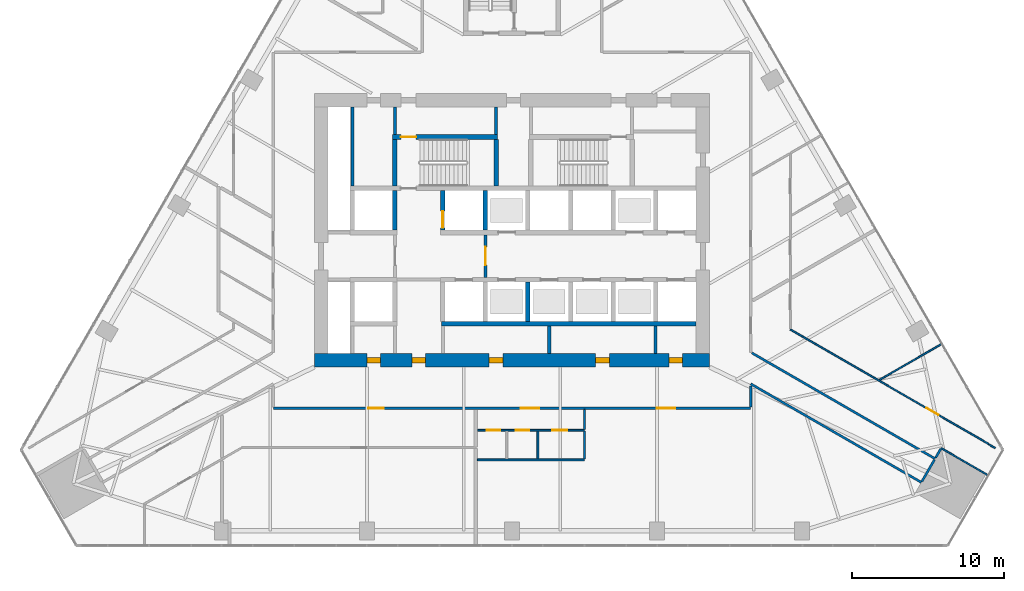
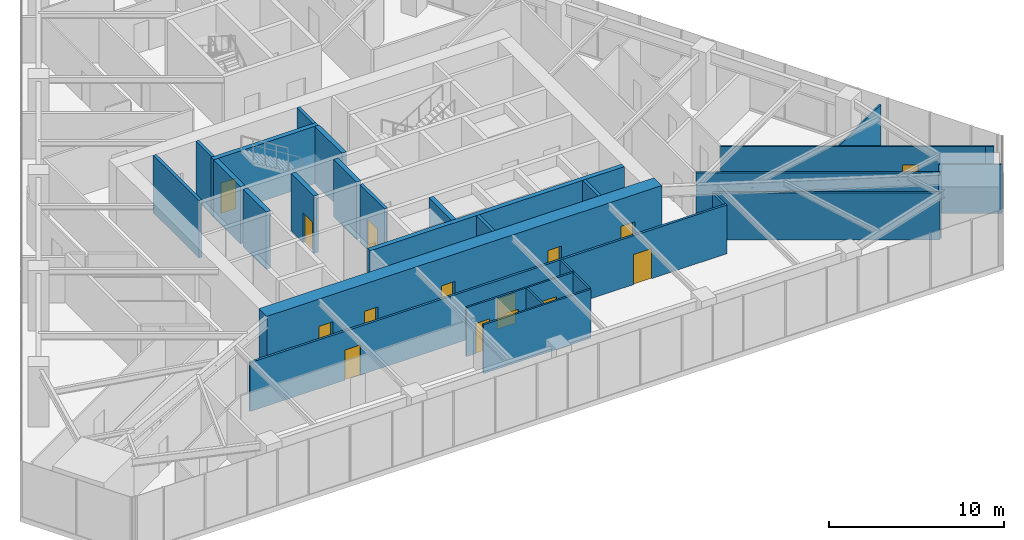
# One storey, part 20 of 25: 30 walls, 15 doors, 15 openings.
"""IFC4 building model written with IfcOpenShell, lengths in metres."""

import ifcopenshell
import ifcopenshell.guid

model = None  # the IFC model being written
_history = None  # IfcOwnerHistory: only IFC2X3 demands one
_inside = {}  # id of a spatial element -> (the spatial element, [elements in it])
_under = {}  # id of a project, library or spatial element -> (it, [spatial elements below it])
_declared = {}  # id of a project -> (the project, [libraries it declares])
_typed = {}  # id of a type object -> (the type object, [elements of that type])
_made_of = {}  # id of a material, layer set ... -> (it, [elements and type objects made of it])


def new_model(schema):
    """Start an empty IFC model of exactly this schema.

    Asked for "IFC4X3", IfcOpenShell would pick the latest addendum, in which some entities
    have other attributes; the version numbers below select the first issue.
    IFC2X3 requires an IfcOwnerHistory on every rooted entity: one is made here for all.
    """
    global model, _history
    if schema == "IFC4X3":
        model = ifcopenshell.file(schema_version=(4, 3, 0, 0))
    else:
        model = ifcopenshell.file(schema=schema)
    _inside.clear()
    _under.clear()
    _declared.clear()
    _typed.clear()
    _made_of.clear()
    _history = None
    if model.schema == "IFC2X3":
        org = make("IfcOrganization", Name="unknown")
        user = make(
            "IfcPersonAndOrganization",
            ThePerson=make("IfcPerson", FamilyName="unknown"),
            TheOrganization=org,
        )
        app = make(
            "IfcApplication",
            ApplicationDeveloper=org,
            Version="unknown",
            ApplicationFullName="unknown",
            ApplicationIdentifier="unknown",
        )
        _history = make(
            "IfcOwnerHistory",
            OwningUser=user,
            OwningApplication=app,
            ChangeAction="ADDED",
            CreationDate=0,
        )
    return model


def make(cls, **values):
    """One entity of the class cls with the attributes given. An attribute that is None is left unset."""
    return model.create_entity(
        cls, **{name: value for name, value in values.items() if value is not None}
    )


def rooted(cls, **values):
    """An entity with a GlobalId (a new one), such as an element, a storey or a relation."""
    return make(cls, GlobalId=ifcopenshell.guid.new(), OwnerHistory=_history, **values)


def si_unit(unit_type, name, prefix=None):
    """IfcSIUnit, for example si_unit("LENGTHUNIT", "METRE", prefix="MILLI")."""
    return make("IfcSIUnit", UnitType=unit_type, Prefix=prefix, Name=name)


def assignment(units):
    """IfcUnitAssignment: the units of a project."""
    return None if units is None else make("IfcUnitAssignment", Units=units)


def point(xyz):
    """IfcCartesianPoint."""
    return None if xyz is None else make("IfcCartesianPoint", Coordinates=xyz)


def direction(xyz):
    """IfcDirection."""
    return None if xyz is None else make("IfcDirection", DirectionRatios=xyz)


def frame(location, z_axis=None, x_axis=None):
    """IfcAxis2Placement3D, a coordinate frame: its origin and axes. An axis left out is left unset."""
    return make(
        "IfcAxis2Placement3D",
        Location=point(location),
        Axis=direction(z_axis),
        RefDirection=direction(x_axis),
    )


def frame_2d(location, x_axis=None):
    """IfcAxis2Placement2D, a coordinate frame in the plane: its origin and x axis."""
    return make(
        "IfcAxis2Placement2D", Location=point(location), RefDirection=direction(x_axis)
    )


def origin():
    """The frame at (0, 0, 0) with its axes left unset."""
    return frame((0.0, 0.0, 0.0))


def place(relative_to, where):
    """IfcLocalPlacement: puts the frame where relative to a parent placement (None: the world)."""
    return make(
        "IfcLocalPlacement", PlacementRelTo=relative_to, RelativePlacement=where
    )


def context(
    kind, dimensions, precision=None, world=None, true_north=None, identifier=None
):
    """IfcGeometricRepresentationContext, for example the 3D "Model" context."""
    return make(
        "IfcGeometricRepresentationContext",
        ContextIdentifier=identifier,
        ContextType=kind,
        CoordinateSpaceDimension=dimensions,
        Precision=precision,
        WorldCoordinateSystem=world,
        TrueNorth=true_north,
    )


def subcontext(parent, identifier, kind, view, scale=None):
    """IfcGeometricRepresentationSubContext, for example "Body" below "Model"."""
    return make(
        "IfcGeometricRepresentationSubContext",
        ContextIdentifier=identifier,
        ContextType=kind,
        ParentContext=parent,
        TargetScale=scale,
        TargetView=view,
    )


def project(units=None, contexts=None):
    """IfcProject with its units and contexts."""
    return rooted(
        "IfcProject",
        Name="project",
        RepresentationContexts=contexts,
        UnitsInContext=assignment(units),
    )


def spatial(cls, under=None, at=None, **own):
    """A site, building, storey or space (cls), placed at a placement, below another one or the project."""
    s = rooted(cls, ObjectPlacement=at, **own)
    if under is not None:
        _under.setdefault(under.id(), (under, []))[1].append(s)
    return s


def profile(cls, at=None, kind="AREA", **sizes):
    """A parametric profile (cls). Its sizes go by their IFC names, for example OverallWidth=200.0."""
    return make(cls, ProfileType=kind, Position=at, **sizes)


def rectangle(**sizes):
    """IfcRectangleProfileDef."""
    return profile("IfcRectangleProfileDef", **sizes)


def extrude(swept, where, along, depth):
    """IfcExtrudedAreaSolid: the profile swept, set in the frame where, extruded along a direction by depth."""
    return make(
        "IfcExtrudedAreaSolid",
        SweptArea=swept,
        Position=where,
        ExtrudedDirection=direction(along),
        Depth=depth,
    )


def shape(context_of_items, identifier, shape_type, items):
    """IfcShapeRepresentation: the items that make up one representation, for example the "Body"."""
    return make(
        "IfcShapeRepresentation",
        ContextOfItems=context_of_items,
        RepresentationIdentifier=identifier,
        RepresentationType=shape_type,
        Items=items,
    )


def material(Name=None, Category=None):
    """IfcMaterial."""
    return make("IfcMaterial", Name=Name, Category=Category)


def layer(
    of_material, thickness, ventilated=None, Name=None, Category=None, Priority=None
):
    """IfcMaterialLayer: one layer of a wall or slab, of a material (None: an air gap)."""
    return make(
        "IfcMaterialLayer",
        Material=of_material,
        LayerThickness=thickness,
        IsVentilated=ventilated,
        Name=Name,
        Category=Category,
        Priority=Priority,
    )


def layer_set(layers, Name=None):
    """IfcMaterialLayerSet."""
    return make("IfcMaterialLayerSet", MaterialLayers=layers, LayerSetName=Name)


def made_of(thing, what):
    """Note that an element or type object is made of a material, layer set ...; save() writes the relation."""
    if what is not None:
        _made_of.setdefault(what.id(), (what, []))[1].append(thing)
    return thing


def type_object(cls, material=None, **own):
    """A type object (cls), such as IfcWallType, which elements share."""
    return made_of(rooted(cls, **own), material)


def element(
    cls,
    number,
    at=None,
    inside=None,
    cuts=None,
    type_object=None,
    material=None,
    context=None,
    identifier="Body",
    shape_type=None,
    held_by="IfcProductDefinitionShape",
    body=None,
    shapes=None,
    **own,
):
    """One element of the class cls, such as IfcWall. Its Tag is "e" and its number.

    at: its placement. inside: the storey or other place that contains it. cuts: it is an
    opening in that element (IfcRelVoidsElement). A single representation is given by context,
    identifier, shape_type and body (its items); several are given by shapes. held_by: the class
    of the entity that holds the representations. save() writes the other relations.
    """
    e = rooted(cls, Tag="e%d" % number, ObjectPlacement=at, **own)
    if body is not None:
        shapes = [shape(context, identifier, shape_type, body)]
    if shapes is not None:
        e.Representation = make(held_by, Representations=shapes)
    if inside is not None:
        _inside.setdefault(inside.id(), (inside, []))[1].append(e)
    if cuts is not None:
        rooted(
            "IfcRelVoidsElement", RelatingBuildingElement=cuts, RelatedOpeningElement=e
        )
    if type_object is not None:
        _typed.setdefault(type_object.id(), (type_object, []))[1].append(e)
    return made_of(e, material)


def fill(opening, filler):
    """IfcRelFillsElement: the door or window that sits in an opening."""
    return rooted(
        "IfcRelFillsElement",
        RelatingOpeningElement=opening,
        RelatedBuildingElement=filler,
    )


def aggregate(whole, parts):
    """IfcRelAggregates: a whole, such as a stair, and the parts it consists of."""
    return rooted("IfcRelAggregates", RelatingObject=whole, RelatedObjects=parts)


def save(model, path):
    """Write the relations noted so far, then the file.

    IfcRelAggregates (storeys below a building ...), IfcRelContainedInSpatialStructure (elements
    in a storey), IfcRelDefinesByType, IfcRelAssociatesMaterial and IfcRelDeclares: one each for
    every whole, place, type object, material and project.
    """
    for whole, parts in _under.values():
        aggregate(whole, parts)
    for where, things in _inside.values():
        rooted(
            "IfcRelContainedInSpatialStructure",
            RelatedElements=things,
            RelatingStructure=where,
        )
    for kind, things in _typed.values():
        rooted("IfcRelDefinesByType", RelatedObjects=things, RelatingType=kind)
    for what, things in _made_of.values():
        rooted("IfcRelAssociatesMaterial", RelatedObjects=things, RelatingMaterial=what)
    for by, libraries in _declared.values():
        rooted("IfcRelDeclares", RelatingContext=by, RelatedDefinitions=libraries)
    model.write(path)


model = new_model("IFC4")

# Units and contexts
model_context = context("Model", 3, precision=1e-05, world=origin(), true_north=direction((0.0, 1.0)))
body_context = subcontext(model_context, "Body", "Model", "MODEL_VIEW")
ifc_project = project(units=[si_unit("LENGTHUNIT", "METRE"), si_unit("AREAUNIT", "SQUARE_METRE"), si_unit("VOLUMEUNIT", "CUBIC_METRE"), si_unit("PLANEANGLEUNIT", "RADIAN"), si_unit("MASSUNIT", "GRAM", prefix="KILO")], contexts=[model_context])

# Site, building, storey
site_placement = place(None, origin())
site = spatial("IfcSite", under=ifc_project, at=site_placement, CompositionType="ELEMENT")
building_placement = place(site_placement, origin())
building = spatial("IfcBuilding", under=site, at=building_placement, Name="Firuza Gate Tower and Library", CompositionType="ELEMENT")
storey_placement = place(building_placement, frame((0.0, 0.0, 61.0)))
storey = spatial("IfcBuildingStorey", under=building, at=storey_placement, Name="L13", CompositionType="ELEMENT", Elevation=61.0)

# Walls
ifc_material_1 = material(Name="Plasterboard on steel studs", Category="steel")
ifc_layer_1 = layer(ifc_material_1, 0.199951171875)
ifc_layer_set_1 = layer_set([ifc_layer_1], Name="Core partition 200 EI 120")
wall_type_1 = type_object("IfcWallType", Name="Core partition 200 EI 120", PredefinedType="PARTITIONING", material=ifc_layer_set_1)
wall_1_placement = place(storey_placement, frame((64.5, 77.89990234375, 0.0), z_axis=(0.0, 0.0, 1.0), x_axis=(0.0, 1.0, 0.0)))
element("IfcWall", 1, at=wall_1_placement, inside=storey, type_object=wall_type_1, Name="Core partition L13 6", PredefinedType="PARTITIONING", context=body_context, shape_type="SweptSolid", body=[
    extrude(rectangle(XDim=5.2001953125, YDim=0.199951171875, at=frame_2d((2.60009765625, 0.0))), origin(), (0.0, 0.0, 1.0), 4.0),
])
for number, where, z_axis, x_axis, name in (
    (2, (77.449951171875, 66.89990234375, 0.0), (0.0, 0.0, 1.0), (0.0, 1.0, 0.0), "Core partition L13 14"),
    (3, (84.449951171875, 66.89990234375, 0.0), (0.0, 0.0, 1.0), (0.0, 1.0, 0.0), "Core partition L13 16"),
):
    element("IfcWall", number, at=place(storey_placement, frame(where, z_axis=z_axis, x_axis=x_axis)), inside=storey, type_object=wall_type_1, Name=name, PredefinedType="PARTITIONING", context=body_context, shape_type="SweptSolid", body=[
        extrude(rectangle(XDim=1.800048828125, YDim=0.199951171875, at=frame_2d((0.89990234375, 0.0))), origin(), (0.0, 0.0, 1.0), 4.0),
    ])
ifc_material_2 = material(Name="Plasterboard on steel studs", Category="steel")
ifc_layer_2 = layer(ifc_material_2, 0.199951171875)
ifc_layer_set_2 = layer_set([ifc_layer_2], Name="Core partition 200 EI 60")
wall_type_2 = type_object("IfcWallType", Name="Core partition 200 EI 60", PredefinedType="PARTITIONING", material=ifc_layer_set_2)
wall_2_placement = place(storey_placement, frame((67.300048828125, 81.280029296875, 0.0), z_axis=(0.0, 0.0, 1.0), x_axis=(0.0, 1.0, 0.0)))
element("IfcWall", 4, at=wall_2_placement, inside=storey, type_object=wall_type_2, Name="Core partition L13 9", PredefinedType="PARTITIONING", context=body_context, shape_type="SweptSolid", body=[
    extrude(rectangle(XDim=1.820068359375, YDim=0.199951171875, at=frame_2d((0.91015625, 0.0))), origin(), (0.0, 0.0, 1.0), 4.0),
])

# Wall, opening, door
wall_3_placement = place(storey_placement, frame((73.25, 71.89990234375, 0.0), z_axis=(0.0, 0.0, 1.0), x_axis=(0.0, 1.0, 0.0)))
wall_3 = element("IfcWall", 5, at=wall_3_placement, inside=storey, type_object=wall_type_2, Name="Core partition L13 11", PredefinedType="PARTITIONING", context=body_context, shape_type="SweptSolid", body=[
    extrude(rectangle(XDim=2.800048828125, YDim=0.199951171875, at=frame_2d((1.39990234375, 0.0))), origin(), (0.0, 0.0, 1.0), 4.0),
])
opening_1_placement = place(wall_3_placement, frame((0.800048828125, 0.0, 0.0)))
opening_1 = element("IfcOpeningElement", 6, at=opening_1_placement, cuts=wall_3, Name="Opening L13-K20", PredefinedType="OPENING", context=body_context, shape_type="SweptSolid", body=[
    extrude(rectangle(XDim=1.199951171875, YDim=2.10009765625, at=frame_2d((0.60009765625, 1.050048828125))), frame((0.0, 0.10986328125, 0.0), z_axis=(0.0, -1.0, 0.0), x_axis=(1.0, 0.0, 0.0)), (0.0, 0.0, 1.0), 0.219970703125),
])
ifc_material_3 = material(Name="Steel", Category="steel")
door_type_1 = type_object("IfcDoorType", Name="Fire door 1200x2100 FD90S", OperationType="NOTDEFINED", PredefinedType="DOOR", material=ifc_material_3)
door_1_placement = place(opening_1_placement, origin())
door_1 = element("IfcDoor", 7, at=door_1_placement, inside=storey, type_object=door_type_1, Name="Door L13-K20", OperationType="SINGLE_SWING_LEFT", OverallHeight=2.10009765625, OverallWidth=1.199951171875, PredefinedType="DOOR", context=body_context, shape_type="SweptSolid", body=[
    extrude(rectangle(XDim=1.199951171875, YDim=2.10009765625, at=frame_2d((0.60009765625, 1.050048828125))), frame((0.0, 0.02490234375, 0.0), z_axis=(0.0, -1.0, 0.0), x_axis=(1.0, 0.0, 0.0)), (0.0, 0.0, 1.0), 0.050048828125),
])
fill(opening_1, door_1)

# Walls
wall_4_placement = place(storey_placement, frame((73.9599609375, 81.280029296875, 0.0), z_axis=(0.0, 0.0, 1.0), x_axis=(0.0, 1.0, 0.0)))
element("IfcWall", 8, at=wall_4_placement, inside=storey, type_object=wall_type_2, Name="Core partition L13 12", PredefinedType="PARTITIONING", context=body_context, shape_type="SweptSolid", body=[
    extrude(rectangle(XDim=1.820068359375, YDim=0.199951171875, at=frame_2d((0.91015625, 0.0))), origin(), (0.0, 0.0, 1.0), 4.0),
])
ifc_material_4 = material(Name="Concrete C80/95", Category="concrete")
ifc_layer_3 = layer(ifc_material_4, 0.300048828125)
ifc_layer_set_3 = layer_set([ifc_layer_3], Name="Core wall 300 C80/95")
wall_type_3 = type_object("IfcWallType", Name="Core wall 300 C80/95", PredefinedType="SHEAR", material=ifc_layer_set_3)
wall_5_placement = place(storey_placement, frame((70.35009765625, 68.85009765625, 0.0), z_axis=(0.0, 0.0, 1.0), x_axis=(1.0, 0.0, 0.0)))
element("IfcWall", 9, at=wall_5_placement, inside=storey, type_object=wall_type_3, Name="Core wall L13 6", PredefinedType="SHEAR", context=body_context, shape_type="SweptSolid", body=[
    extrude(rectangle(XDim=16.75, YDim=0.300048828125, at=frame_2d((8.375, 0.0))), origin(), (0.0, 0.0, 1.0), 4.0),
])
wall_6_placement = place(storey_placement, frame((67.300048828125, 75.0, 0.0), z_axis=(0.0, 0.0, 1.0), x_axis=(0.0, 1.0, 0.0)))
element("IfcWall", 10, at=wall_6_placement, inside=storey, type_object=wall_type_3, Name="Core wall L13 14", PredefinedType="SHEAR", context=body_context, shape_type="SweptSolid", body=[
    extrude(rectangle(XDim=2.60009765625, YDim=0.300048828125, at=frame_2d((1.300048828125, 0.0))), origin(), (0.0, 0.0, 1.0), 4.0),
])

# Wall, opening, door
wall_7_placement = place(storey_placement, frame((70.449951171875, 75.0, 0.0), z_axis=(0.0, 0.0, 1.0), x_axis=(0.0, 1.0, 0.0)))
wall_7 = element("IfcWall", 11, at=wall_7_placement, inside=storey, type_object=wall_type_3, Name="Core wall L13 16", PredefinedType="SHEAR", context=body_context, shape_type="SweptSolid", body=[
    extrude(rectangle(XDim=2.60009765625, YDim=0.300048828125, at=frame_2d((1.300048828125, 0.0))), origin(), (0.0, 0.0, 1.0), 4.0),
])
opening_2_placement = place(wall_7_placement, frame((0.14990234375, 0.0, 0.0)))
opening_2 = element("IfcOpeningElement", 12, at=opening_2_placement, cuts=wall_7, Name="Opening LD-FF2-L13", PredefinedType="OPENING", context=body_context, shape_type="SweptSolid", body=[
    extrude(rectangle(XDim=1.10009765625, YDim=2.10009765625, at=frame_2d((0.550048828125, 1.050048828125))), frame((0.0, 0.16015625, 0.0), z_axis=(0.0, -1.0, 0.0), x_axis=(1.0, 0.0, 0.0)), (0.0, 0.0, 1.0), 0.320068359375),
])
ifc_material_5 = material(Name="Stainless steel", Category="steel")
door_type_2 = type_object("IfcDoorType", Name="Lift landing door 1100x2100", OperationType="DOUBLE_DOOR_SLIDING", PredefinedType="DOOR", material=ifc_material_5)
door_2_placement = place(opening_2_placement, origin())
door_2 = element("IfcDoor", 13, at=door_2_placement, inside=storey, type_object=door_type_2, Name="Landing door FF2 L13", OperationType="DOUBLE_DOOR_SLIDING", OverallHeight=2.10009765625, OverallWidth=1.10009765625, PredefinedType="DOOR", context=body_context, shape_type="SweptSolid", body=[
    extrude(rectangle(XDim=1.10009765625, YDim=2.10009765625, at=frame_2d((0.550048828125, 1.050048828125))), frame((0.0, 0.02490234375, 0.0), z_axis=(0.0, -1.0, 0.0), x_axis=(1.0, 0.0, 0.0)), (0.0, 0.0, 1.0), 0.050048828125),
])
fill(opening_2, door_2)

# Walls
for number, where, z_axis, x_axis, name in (
    (14, (73.25, 75.0, 0.0), (0.0, 0.0, 1.0), (0.0, 1.0, 0.0), "Core wall L13 18"),
    (15, (76.050048828125, 69.0, 0.0), (0.0, 0.0, 1.0), (0.0, 1.0, 0.0), "Core wall L13 19"),
):
    element("IfcWall", number, at=place(storey_placement, frame(where, z_axis=z_axis, x_axis=x_axis)), inside=storey, type_object=wall_type_3, Name=name, PredefinedType="SHEAR", context=body_context, shape_type="SweptSolid", body=[
        extrude(rectangle(XDim=2.60009765625, YDim=0.300048828125, at=frame_2d((1.300048828125, 0.0))), origin(), (0.0, 0.0, 1.0), 4.0),
    ])

# Wall, opening, door
wall_8_placement = place(storey_placement, frame((67.14990234375, 81.1298828125, 0.0), z_axis=(0.0, 0.0, 1.0), x_axis=(1.0, 0.0, 0.0)))
wall_8 = element("IfcWall", 16, at=wall_8_placement, inside=storey, type_object=wall_type_3, Name="Core wall L13 28", PredefinedType="SHEAR", context=body_context, shape_type="SweptSolid", body=[
    extrude(rectangle(XDim=6.91015625, YDim=0.300048828125, at=frame_2d((3.455078125, 0.0))), origin(), (0.0, 0.0, 1.0), 4.0),
])
opening_3_placement = place(wall_8_placement, frame((0.544921875, 0.0, 0.0)))
opening_3 = element("IfcOpeningElement", 17, at=opening_3_placement, cuts=wall_8, Name="Opening L13-K13", PredefinedType="OPENING", context=body_context, shape_type="SweptSolid", body=[
    extrude(rectangle(XDim=1.0, YDim=2.10009765625, at=frame_2d((0.5, 1.050048828125))), frame((0.0, 0.16015625, 0.0), z_axis=(0.0, -1.0, 0.0), x_axis=(1.0, 0.0, 0.0)), (0.0, 0.0, 1.0), 0.320068359375),
])
ifc_material_6 = material(Name="Steel", Category="steel")
door_type_3 = type_object("IfcDoorType", Name="Fire door 1000x2100 FD90", OperationType="NOTDEFINED", PredefinedType="DOOR", material=ifc_material_6)
door_3_placement = place(opening_3_placement, origin())
door_3 = element("IfcDoor", 18, at=door_3_placement, inside=storey, type_object=door_type_3, Name="Door L13-K13", OperationType="SINGLE_SWING_RIGHT", OverallHeight=2.10009765625, OverallWidth=1.0, PredefinedType="DOOR", context=body_context, shape_type="SweptSolid", body=[
    extrude(rectangle(XDim=1.0, YDim=2.10009765625, at=frame_2d((0.5, 1.050048828125))), frame((0.0, 0.02490234375, 0.0), z_axis=(0.0, -1.0, 0.0), x_axis=(1.0, 0.0, 0.0)), (0.0, 0.0, 1.0), 0.050048828125),
])
fill(opening_3, door_3)

# Walls
for number, where, z_axis, x_axis, name in (
    (19, (67.300048828125, 77.89990234375, 0.0), (0.0, 0.0, 1.0), (0.0, 1.0, 0.0), "Core wall L13 30"),
    (20, (73.9599609375, 77.89990234375, 0.0), (0.0, 0.0, 1.0), (0.0, 1.0, 0.0), "Core wall L13 31"),
):
    element("IfcWall", number, at=place(storey_placement, frame(where, z_axis=z_axis, x_axis=x_axis)), inside=storey, type_object=wall_type_3, Name=name, PredefinedType="SHEAR", context=body_context, shape_type="SweptSolid", body=[
        extrude(rectangle(XDim=3.080078125, YDim=0.300048828125, at=frame_2d((1.5400390625, 0.0))), origin(), (0.0, 0.0, 1.0), 4.0),
    ])

# Wall, openings, doors
ifc_material_7 = material(Name="Concrete C80/95", Category="concrete")
ifc_layer_4 = layer(ifc_material_7, 0.89990234375)
ifc_layer_set_4 = layer_set([ifc_layer_4], Name="Core wall 900 C80/95")
wall_type_4 = type_object("IfcWallType", Name="Core wall 900 C80/95", PredefinedType="SHEAR", material=ifc_layer_set_4)
wall_9_placement = place(storey_placement, frame((62.0, 66.449951171875, 0.0), z_axis=(0.0, 0.0, 1.0), x_axis=(1.0, 0.0, 0.0)))
wall_9 = element("IfcWall", 21, at=wall_9_placement, inside=storey, type_object=wall_type_4, Name="Core wall L13 1", PredefinedType="SHEAR", context=body_context, shape_type="SweptSolid", body=[
    extrude(rectangle(XDim=26.0, YDim=0.89990234375, at=frame_2d((13.0, 0.0))), origin(), (0.0, 0.0, 1.0), 4.0),
])
opening_4_placement = place(wall_9_placement, frame((3.449951171875, 0.0, 0.0)))
opening_4 = element("IfcOpeningElement", 22, at=opening_4_placement, cuts=wall_9, Name="Opening L13-K24", PredefinedType="OPENING", context=body_context, shape_type="SweptSolid", body=[
    extrude(rectangle(XDim=0.89990234375, YDim=2.10009765625, at=frame_2d((0.449951171875, 1.050048828125))), frame((0.0, 0.4599609375, 0.0), z_axis=(0.0, -1.0, 0.0), x_axis=(1.0, 0.0, 0.0)), (0.0, 0.0, 1.0), 0.919921875),
])
opening_5_placement = place(wall_9_placement, frame((6.425048828125, 0.0, 0.0)))
opening_5 = element("IfcOpeningElement", 23, at=opening_5_placement, cuts=wall_9, Name="Opening L13-K25", PredefinedType="OPENING", context=body_context, shape_type="SweptSolid", body=[
    extrude(rectangle(XDim=0.89990234375, YDim=2.10009765625, at=frame_2d((0.449951171875, 1.050048828125))), frame((0.0, 0.4599609375, 0.0), z_axis=(0.0, -1.0, 0.0), x_axis=(1.0, 0.0, 0.0)), (0.0, 0.0, 1.0), 0.919921875),
])
opening_6_placement = place(wall_9_placement, frame((11.5, 0.0, 0.0)))
opening_6 = element("IfcOpeningElement", 24, at=opening_6_placement, cuts=wall_9, Name="Opening L13-K26", PredefinedType="OPENING", context=body_context, shape_type="SweptSolid", body=[
    extrude(rectangle(XDim=0.89990234375, YDim=2.10009765625, at=frame_2d((0.449951171875, 1.050048828125))), frame((0.0, 0.4599609375, 0.0), z_axis=(0.0, -1.0, 0.0), x_axis=(1.0, 0.0, 0.0)), (0.0, 0.0, 1.0), 0.919921875),
])
opening_7_placement = place(wall_9_placement, frame((18.5, 0.0, 0.0)))
opening_7 = element("IfcOpeningElement", 25, at=opening_7_placement, cuts=wall_9, Name="Opening L13-K27", PredefinedType="OPENING", context=body_context, shape_type="SweptSolid", body=[
    extrude(rectangle(XDim=0.89990234375, YDim=2.10009765625, at=frame_2d((0.449951171875, 1.050048828125))), frame((0.0, 0.4599609375, 0.0), z_axis=(0.0, -1.0, 0.0), x_axis=(1.0, 0.0, 0.0)), (0.0, 0.0, 1.0), 0.919921875),
])
opening_8_placement = place(wall_9_placement, frame((23.324951171875, 0.0, 0.0)))
opening_8 = element("IfcOpeningElement", 26, at=opening_8_placement, cuts=wall_9, Name="Opening L13-K28", PredefinedType="OPENING", context=body_context, shape_type="SweptSolid", body=[
    extrude(rectangle(XDim=0.89990234375, YDim=2.10009765625, at=frame_2d((0.449951171875, 1.050048828125))), frame((0.0, 0.4599609375, 0.0), z_axis=(0.0, -1.0, 0.0), x_axis=(1.0, 0.0, 0.0)), (0.0, 0.0, 1.0), 0.919921875),
])
ifc_material_8 = material(Name="Steel", Category="steel")
door_type_4 = type_object("IfcDoorType", Name="Fire door 900x2100 FD30S", OperationType="NOTDEFINED", PredefinedType="DOOR", material=ifc_material_8)
door_4_placement = place(opening_4_placement, origin())
door_4 = element("IfcDoor", 27, at=door_4_placement, inside=storey, type_object=door_type_4, Name="Door L13-K24", OperationType="SINGLE_SWING_LEFT", OverallHeight=2.10009765625, OverallWidth=0.89990234375, PredefinedType="DOOR", context=body_context, shape_type="SweptSolid", body=[
    extrude(rectangle(XDim=0.89990234375, YDim=2.10009765625, at=frame_2d((0.449951171875, 1.050048828125))), frame((0.0, 0.169921875, 0.0), z_axis=(0.0, -1.0, 0.0), x_axis=(1.0, 0.0, 0.0)), (0.0, 0.0, 1.0), 0.33984375),
])
fill(opening_4, door_4)
door_5_placement = place(opening_5_placement, origin())
door_5 = element("IfcDoor", 28, at=door_5_placement, inside=storey, type_object=door_type_4, Name="Door L13-K25", OperationType="SINGLE_SWING_RIGHT", OverallHeight=2.10009765625, OverallWidth=0.89990234375, PredefinedType="DOOR", context=body_context, shape_type="SweptSolid", body=[
    extrude(rectangle(XDim=0.89990234375, YDim=2.10009765625, at=frame_2d((0.449951171875, 1.050048828125))), frame((0.0, 0.169921875, 0.0), z_axis=(0.0, -1.0, 0.0), x_axis=(1.0, 0.0, 0.0)), (0.0, 0.0, 1.0), 0.33984375),
])
fill(opening_5, door_5)
door_6_placement = place(opening_6_placement, origin())
door_6 = element("IfcDoor", 29, at=door_6_placement, inside=storey, type_object=door_type_4, Name="Door L13-K26", OperationType="SINGLE_SWING_LEFT", OverallHeight=2.10009765625, OverallWidth=0.89990234375, PredefinedType="DOOR", context=body_context, shape_type="SweptSolid", body=[
    extrude(rectangle(XDim=0.89990234375, YDim=2.10009765625, at=frame_2d((0.449951171875, 1.050048828125))), frame((0.0, 0.169921875, 0.0), z_axis=(0.0, -1.0, 0.0), x_axis=(1.0, 0.0, 0.0)), (0.0, 0.0, 1.0), 0.33984375),
])
fill(opening_6, door_6)
door_7_placement = place(opening_7_placement, origin())
door_7 = element("IfcDoor", 30, at=door_7_placement, inside=storey, type_object=door_type_4, Name="Door L13-K27", OperationType="SINGLE_SWING_RIGHT", OverallHeight=2.10009765625, OverallWidth=0.89990234375, PredefinedType="DOOR", context=body_context, shape_type="SweptSolid", body=[
    extrude(rectangle(XDim=0.89990234375, YDim=2.10009765625, at=frame_2d((0.449951171875, 1.050048828125))), frame((0.0, 0.169921875, 0.0), z_axis=(0.0, -1.0, 0.0), x_axis=(1.0, 0.0, 0.0)), (0.0, 0.0, 1.0), 0.33984375),
])
fill(opening_7, door_7)
door_8_placement = place(opening_8_placement, origin())
door_8 = element("IfcDoor", 31, at=door_8_placement, inside=storey, type_object=door_type_4, Name="Door L13-K28", OperationType="SINGLE_SWING_LEFT", OverallHeight=2.10009765625, OverallWidth=0.89990234375, PredefinedType="DOOR", context=body_context, shape_type="SweptSolid", body=[
    extrude(rectangle(XDim=0.89990234375, YDim=2.10009765625, at=frame_2d((0.449951171875, 1.050048828125))), frame((0.0, 0.169921875, 0.0), z_axis=(0.0, -1.0, 0.0), x_axis=(1.0, 0.0, 0.0)), (0.0, 0.0, 1.0), 0.33984375),
])
fill(opening_8, door_8)

ifc_material_9 = material(Name="Gypsum board partition")
ifc_layer_5 = layer(ifc_material_9, 0.14990234375)
ifc_layer_set_5 = layer_set([ifc_layer_5], Name="Corridor wall 150 double board on steel studs")
wall_type_5 = type_object("IfcWallType", Name="Corridor wall 150 double board on steel studs", PredefinedType="PARTITIONING", material=ifc_layer_set_5)
wall_10_placement = place(storey_placement, frame((90.699462890625, 63.300048828125, 0.0), z_axis=(0.0, 0.0, 1.0), x_axis=(-1.0, 0.0, 0.0)))
wall_10 = element("IfcWall", 32, at=wall_10_placement, inside=storey, type_object=wall_type_5, Name="f:L13:w004", PredefinedType="PARTITIONING", context=body_context, shape_type="SweptSolid", body=[
    extrude(rectangle(XDim=31.3994140625, YDim=0.14990234375, at=frame_2d((15.69970703125, 0.0))), origin(), (0.0, 0.0, 1.0), 3.39990234375),
])
opening_9_placement = place(wall_10_placement, frame((4.967529296875, 0.0, 0.0)))
opening_9 = element("IfcOpeningElement", 33, at=opening_9_placement, cuts=wall_10, Name="Opening L13-05", PredefinedType="OPENING", context=body_context, shape_type="SweptSolid", body=[
    extrude(rectangle(XDim=1.199951171875, YDim=2.10009765625, at=frame_2d((0.60009765625, 1.050048828125))), frame((0.0, 0.0849609375, 0.0), z_axis=(0.0, -1.0, 0.0), x_axis=(1.0, 0.0, 0.0)), (0.0, 0.0, 1.0), 0.169921875),
])
opening_10_placement = place(wall_10_placement, frame((13.90771484375, 0.0, 0.0)))
opening_10 = element("IfcOpeningElement", 34, at=opening_10_placement, cuts=wall_10, Name="Opening L13-06", PredefinedType="OPENING", context=body_context, shape_type="SweptSolid", body=[
    extrude(rectangle(XDim=1.199951171875, YDim=2.10009765625, at=frame_2d((0.60009765625, 1.050048828125))), frame((0.0, 0.0849609375, 0.0), z_axis=(0.0, -1.0, 0.0), x_axis=(1.0, 0.0, 0.0)), (0.0, 0.0, 1.0), 0.169921875),
])
opening_11_placement = place(wall_10_placement, frame((24.139892578125, 0.0, 0.0)))
opening_11 = element("IfcOpeningElement", 35, at=opening_11_placement, cuts=wall_10, Name="Opening L13-07", PredefinedType="OPENING", context=body_context, shape_type="SweptSolid", body=[
    extrude(rectangle(XDim=1.0, YDim=2.10009765625, at=frame_2d((0.5, 1.050048828125))), frame((0.0, 0.0849609375, 0.0), z_axis=(0.0, -1.0, 0.0), x_axis=(1.0, 0.0, 0.0)), (0.0, 0.0, 1.0), 0.169921875),
])
ifc_material_10 = material(Name="Steel door and timber leaf", Category="steel")
door_type_5 = type_object("IfcDoorType", Name="Fire door 1000 x 2100 steel frame, timber leaf", OperationType="NOTDEFINED", PredefinedType="DOOR", material=ifc_material_10)
door_9_placement = place(opening_11_placement, origin())
door_9 = element("IfcDoor", 36, at=door_9_placement, inside=storey, type_object=door_type_5, Name="f:L13:d007", OperationType="SINGLE_SWING_LEFT", OverallHeight=2.10009765625, OverallWidth=1.0, PredefinedType="DOOR", context=body_context, shape_type="SweptSolid", body=[
    extrude(rectangle(XDim=1.0, YDim=2.10009765625, at=frame_2d((0.5, 1.050048828125))), frame((0.0, 0.02490234375, 0.0), z_axis=(0.0, -1.0, 0.0), x_axis=(1.0, 0.0, 0.0)), (0.0, 0.0, 1.0), 0.050048828125),
])
fill(opening_11, door_9)
ifc_material_11 = material(Name="Steel door and timber leaf", Category="steel")
door_type_6 = type_object("IfcDoorType", Name="Fire door 1200 x 2100 steel frame, double leaf", OperationType="NOTDEFINED", PredefinedType="DOOR", material=ifc_material_11)
door_10_placement = place(opening_9_placement, origin())
door_10 = element("IfcDoor", 37, at=door_10_placement, inside=storey, type_object=door_type_6, Name="f:L13:d005", OperationType="DOUBLE_DOOR_SINGLE_SWING", OverallHeight=2.10009765625, OverallWidth=1.199951171875, PredefinedType="DOOR", context=body_context, shape_type="SweptSolid", body=[
    extrude(rectangle(XDim=1.199951171875, YDim=2.10009765625, at=frame_2d((0.60009765625, 1.050048828125))), frame((0.0, 0.02490234375, 0.0), z_axis=(0.0, -1.0, 0.0), x_axis=(1.0, 0.0, 0.0)), (0.0, 0.0, 1.0), 0.050048828125),
])
fill(opening_9, door_10)
door_11_placement = place(opening_10_placement, origin())
door_11 = element("IfcDoor", 38, at=door_11_placement, inside=storey, type_object=door_type_6, Name="f:L13:d006", OperationType="DOUBLE_DOOR_SINGLE_SWING", OverallHeight=2.10009765625, OverallWidth=1.199951171875, PredefinedType="DOOR", context=body_context, shape_type="SweptSolid", body=[
    extrude(rectangle(XDim=1.199951171875, YDim=2.10009765625, at=frame_2d((0.60009765625, 1.050048828125))), frame((0.0, 0.02490234375, 0.0), z_axis=(0.0, -1.0, 0.0), x_axis=(1.0, 0.0, 0.0)), (0.0, 0.0, 1.0), 0.050048828125),
])
fill(opening_10, door_11)

# Walls
wall_11_placement = place(storey_placement, frame((101.960205078125, 58.482421875, 0.0), z_axis=(0.0, 0.0, 1.0), x_axis=(0.500102515474, 0.865966208357, 0.0)))
element("IfcWall", 39, at=wall_11_placement, inside=storey, type_object=wall_type_5, Name="f:L13:w026", PredefinedType="PARTITIONING", context=body_context, shape_type="SweptSolid", body=[
    extrude(rectangle(XDim=1.649658203125, YDim=0.14990234375, at=frame_2d((0.82470703125, 0.0))), origin(), (0.0, 0.0, 1.0), 3.2470703125),
])
wall_12_placement = place(storey_placement, frame((90.699951171875, 63.37548828125, 0.0), z_axis=(0.0, 0.0, 1.0), x_axis=(0.0, 1.0, 0.0)))
element("IfcWall", 40, at=wall_12_placement, inside=storey, type_object=wall_type_5, Name="f:L13:w029", PredefinedType="PARTITIONING", context=body_context, shape_type="SweptSolid", body=[
    extrude(rectangle(XDim=1.38427734375, YDim=0.14990234375, at=frame_2d((0.692138671875, 0.0))), origin(), (0.0, 0.0, 1.0), 3.2470703125),
])
wall_13_placement = place(storey_placement, frame((102.82177734375, 59.976318359375, 0.0), z_axis=(0.0, 0.0, 1.0), x_axis=(-0.866019280802, 0.500010605167, 0.0)))
element("IfcWall", 41, at=wall_13_placement, inside=storey, type_object=wall_type_5, Name="f:L13:w060", PredefinedType="PARTITIONING", context=body_context, shape_type="SweptSolid", body=[
    extrude(rectangle(XDim=13.910400390625, YDim=0.14990234375, at=frame_2d((6.955078125, 0.0))), origin(), (0.0, 0.0, 1.0), 3.39990234375),
])
wall_14_placement = place(storey_placement, frame((101.921875, 58.41748046875, 0.0), z_axis=(0.0, 0.0, 1.0), x_axis=(-0.866024629744, 0.500001340675, 0.0)))
element("IfcWall", 42, at=wall_14_placement, inside=storey, type_object=wall_type_5, Name="f:L13:w061", PredefinedType="PARTITIONING", context=body_context, shape_type="SweptSolid", body=[
    extrude(rectangle(XDim=12.9580078125, YDim=0.14990234375, at=frame_2d((6.47900390625, 0.0))), origin(), (0.0, 0.0, 1.0), 3.2470703125),
])
wall_15_placement = place(storey_placement, frame((102.860107421875, 60.041015625, 0.0), z_axis=(0.0, 0.0, 1.0), x_axis=(0.500036104519, 0.866004557827, 0.0)))
element("IfcWall", 43, at=wall_15_placement, inside=storey, type_object=wall_type_5, Name="f:L13:w075", PredefinedType="PARTITIONING", context=body_context, shape_type="SweptSolid", body=[
    extrude(rectangle(XDim=0.673828125, YDim=0.14990234375, at=frame_2d((0.3369140625, 0.0))), origin(), (0.0, 0.0, 1.0), 3.39990234375),
])
ifc_material_12 = material(Name="Gypsum board partition")
ifc_layer_6 = layer(ifc_material_12, 0.10009765625)
ifc_layer_set_6 = layer_set([ifc_layer_6], Name="Partition 100 gypsum board on steel studs")
wall_type_6 = type_object("IfcWallType", Name="Partition 100 gypsum board on steel studs", PredefinedType="PARTITIONING", material=ifc_layer_set_6)
wall_16_placement = place(storey_placement, frame((99.181884765625, 65.167724609375, 0.0), z_axis=(0.0, 0.0, 1.0), x_axis=(0.866024864377, 0.50000093428, 0.0)))
element("IfcWall", 44, at=wall_16_placement, inside=storey, type_object=wall_type_6, Name="f:L13:w012", PredefinedType="PARTITIONING", context=body_context, shape_type="SweptSolid", body=[
    extrude(rectangle(XDim=4.705078125, YDim=0.10009765625, at=frame_2d((2.3525390625, 0.0))), origin(), (0.0, 0.0, 1.0), 3.39990234375),
])

# Wall, opening, door
wall_17_placement = place(storey_placement, frame((106.37353515625, 60.927978515625, 0.0), z_axis=(0.0, 0.0, 1.0), x_axis=(-0.866022109353, 0.50000570608, 0.0)))
wall_17 = element("IfcWall", 45, at=wall_17_placement, inside=storey, type_object=wall_type_6, Name="f:L13:w057", PredefinedType="PARTITIONING", context=body_context, shape_type="SweptSolid", body=[
    extrude(rectangle(XDim=15.095947265625, YDim=0.10009765625, at=frame_2d((7.5478515625, 0.0))), origin(), (0.0, 0.0, 1.0), 3.39990234375),
])
opening_12_placement = place(wall_17_placement, frame((3.847412109375, 0.0, 0.0)))
opening_12 = element("IfcOpeningElement", 46, at=opening_12_placement, cuts=wall_17, Name="Opening L13-33", PredefinedType="OPENING", context=body_context, shape_type="SweptSolid", body=[
    extrude(rectangle(XDim=0.89990234375, YDim=2.10009765625, at=frame_2d((0.449951171875, 1.050048828125))), frame((0.0, 0.06005859375, 0.0), z_axis=(0.0, -1.0, 0.0), x_axis=(1.0, 0.0, 0.0)), (0.0, 0.0, 1.0), 0.1201171875),
])
ifc_material_13 = material(Name="Timber door", Category="wood")
door_type_7 = type_object("IfcDoorType", Name="Door 900 x 2100 timber leaf", OperationType="NOTDEFINED", PredefinedType="DOOR", material=ifc_material_13)
door_12_placement = place(opening_12_placement, origin())
door_12 = element("IfcDoor", 47, at=door_12_placement, inside=storey, type_object=door_type_7, Name="f:L13:d033", OperationType="SINGLE_SWING_LEFT", OverallHeight=2.10009765625, OverallWidth=0.89990234375, PredefinedType="DOOR", context=body_context, shape_type="SweptSolid", body=[
    extrude(rectangle(XDim=0.89990234375, YDim=2.10009765625, at=frame_2d((0.449951171875, 1.050048828125))), frame((0.0, 0.02490234375, 0.0), z_axis=(0.0, -1.0, 0.0), x_axis=(1.0, 0.0, 0.0)), (0.0, 0.0, 1.0), 0.050048828125),
])
fill(opening_12, door_12)

# Walls
wall_18_placement = place(storey_placement, frame((106.774169921875, 60.6748046875, 0.0), z_axis=(0.0, 0.0, 1.0), x_axis=(-0.865979310119, 0.500079828073, 0.0)))
element("IfcWall", 48, at=wall_18_placement, inside=storey, type_object=wall_type_6, Name="f:L13:w058", PredefinedType="PARTITIONING", context=body_context, shape_type="SweptSolid", body=[
    extrude(rectangle(XDim=0.47314453125, YDim=0.10009765625, at=frame_2d((0.236572265625, 0.0))), origin(), (0.0, 0.0, 1.0), 3.39990234375),
])
wall_19_placement = place(storey_placement, frame((106.304931640625, 58.88818359375, 0.0), z_axis=(0.0, 0.0, 1.0), x_axis=(-0.866061095881, 0.499938174379, 0.0)))
element("IfcWall", 49, at=wall_19_placement, inside=storey, type_object=wall_type_6, Name="f:L13:w059", PredefinedType="PARTITIONING", context=body_context, shape_type="SweptSolid", body=[
    extrude(rectangle(XDim=3.5595703125, YDim=0.10009765625, at=frame_2d((1.77978515625, 0.0))), origin(), (0.0, 0.0, 1.0), 3.39990234375),
])
ifc_material_14 = material(Name="Gypsum board partition")
ifc_layer_7 = layer(ifc_material_14, 0.1201171875)
ifc_layer_set_7 = layer_set([ifc_layer_7], Name="Wet-area partition 120 moisture-resistant board")
wall_type_7 = type_object("IfcWallType", Name="Wet-area partition 120 moisture-resistant board", PredefinedType="PARTITIONING", material=ifc_layer_set_7)
wall_20_placement = place(storey_placement, frame((72.716796875, 59.89990234375, 0.0), z_axis=(0.0, 0.0, 1.0), x_axis=(1.0, 0.0, 0.0)))
element("IfcWall", 50, at=wall_20_placement, inside=storey, type_object=wall_type_7, Name="f:L13:w001", PredefinedType="PARTITIONING", context=body_context, shape_type="SweptSolid", body=[
    extrude(rectangle(XDim=7.0498046875, YDim=0.1201171875, at=frame_2d((3.52490234375, 0.0))), origin(), (0.0, 0.0, 1.0), 3.39990234375),
])

# Wall, openings, doors
wall_21_placement = place(storey_placement, frame((72.71630859375, 61.85009765625, 0.0), z_axis=(0.0, 0.0, 1.0), x_axis=(1.0, 0.0, 0.0)))
wall_21 = element("IfcWall", 51, at=wall_21_placement, inside=storey, type_object=wall_type_7, Name="f:L13:w003", PredefinedType="PARTITIONING", context=body_context, shape_type="SweptSolid", body=[
    extrude(rectangle(XDim=7.051025390625, YDim=0.1201171875, at=frame_2d((3.525390625, 0.0))), origin(), (0.0, 0.0, 1.0), 3.39990234375),
])
opening_13_placement = place(wall_21_placement, frame((0.623046875, 0.0, 0.0)))
opening_13 = element("IfcOpeningElement", 52, at=opening_13_placement, cuts=wall_21, Name="Opening L13-02", PredefinedType="OPENING", context=body_context, shape_type="SweptSolid", body=[
    extrude(rectangle(XDim=0.89990234375, YDim=2.10009765625, at=frame_2d((0.449951171875, 1.050048828125))), frame((0.0, 0.070068359375, 0.0), z_axis=(0.0, -1.0, 0.0), x_axis=(1.0, 0.0, 0.0)), (0.0, 0.0, 1.0), 0.14013671875),
])
opening_14_placement = place(wall_21_placement, frame((2.5146484375, 0.0, 0.0)))
opening_14 = element("IfcOpeningElement", 53, at=opening_14_placement, cuts=wall_21, Name="Opening L13-03", PredefinedType="OPENING", context=body_context, shape_type="SweptSolid", body=[
    extrude(rectangle(XDim=0.89990234375, YDim=2.10009765625, at=frame_2d((0.449951171875, 1.050048828125))), frame((0.0, 0.070068359375, 0.0), z_axis=(0.0, -1.0, 0.0), x_axis=(1.0, 0.0, 0.0)), (0.0, 0.0, 1.0), 0.14013671875),
])
opening_15_placement = place(wall_21_placement, frame((4.9169921875, 0.0, 0.0)))
opening_15 = element("IfcOpeningElement", 54, at=opening_15_placement, cuts=wall_21, Name="Opening L13-04", PredefinedType="OPENING", context=body_context, shape_type="SweptSolid", body=[
    extrude(rectangle(XDim=1.0, YDim=2.10009765625, at=frame_2d((0.5, 1.050048828125))), frame((0.0, 0.070068359375, 0.0), z_axis=(0.0, -1.0, 0.0), x_axis=(1.0, 0.0, 0.0)), (0.0, 0.0, 1.0), 0.14013671875),
])
ifc_material_15 = material(Name="Timber door", Category="wood")
door_type_8 = type_object("IfcDoorType", Name="Door 1000 x 2100 timber leaf", OperationType="NOTDEFINED", PredefinedType="DOOR", material=ifc_material_15)
door_13_placement = place(opening_15_placement, origin())
door_13 = element("IfcDoor", 55, at=door_13_placement, inside=storey, type_object=door_type_8, Name="f:L13:d004", OperationType="SINGLE_SWING_RIGHT", OverallHeight=2.10009765625, OverallWidth=1.0, PredefinedType="DOOR", context=body_context, shape_type="SweptSolid", body=[
    extrude(rectangle(XDim=1.0, YDim=2.10009765625, at=frame_2d((0.5, 1.050048828125))), frame((0.0, 0.02490234375, 0.0), z_axis=(0.0, -1.0, 0.0), x_axis=(1.0, 0.0, 0.0)), (0.0, 0.0, 1.0), 0.050048828125),
])
fill(opening_15, door_13)
door_14_placement = place(opening_13_placement, origin())
door_14 = element("IfcDoor", 56, at=door_14_placement, inside=storey, type_object=door_type_7, Name="f:L13:d002", OperationType="SINGLE_SWING_RIGHT", OverallHeight=2.10009765625, OverallWidth=0.89990234375, PredefinedType="DOOR", context=body_context, shape_type="SweptSolid", body=[
    extrude(rectangle(XDim=0.89990234375, YDim=2.10009765625, at=frame_2d((0.449951171875, 1.050048828125))), frame((0.0, 0.02490234375, 0.0), z_axis=(0.0, -1.0, 0.0), x_axis=(1.0, 0.0, 0.0)), (0.0, 0.0, 1.0), 0.050048828125),
])
fill(opening_13, door_14)
door_15_placement = place(opening_14_placement, origin())
door_15 = element("IfcDoor", 57, at=door_15_placement, inside=storey, type_object=door_type_7, Name="f:L13:d003", OperationType="SINGLE_SWING_LEFT", OverallHeight=2.10009765625, OverallWidth=0.89990234375, PredefinedType="DOOR", context=body_context, shape_type="SweptSolid", body=[
    extrude(rectangle(XDim=0.89990234375, YDim=2.10009765625, at=frame_2d((0.449951171875, 1.050048828125))), frame((0.0, 0.02490234375, 0.0), z_axis=(0.0, -1.0, 0.0), x_axis=(1.0, 0.0, 0.0)), (0.0, 0.0, 1.0), 0.050048828125),
])
fill(opening_14, door_15)

# Walls
wall_22_placement = place(storey_placement, frame((79.76708984375, 59.96044921875, 0.0), z_axis=(0.0, 0.0, 1.0), x_axis=(0.0, 1.0, 0.0)))
element("IfcWall", 58, at=wall_22_placement, inside=storey, type_object=wall_type_7, Name="f:L13:w034", PredefinedType="PARTITIONING", context=body_context, shape_type="SweptSolid", body=[
    extrude(rectangle(XDim=1.82958984375, YDim=0.1201171875, at=frame_2d((0.914794921875, 0.0))), origin(), (0.0, 0.0, 1.0), 3.39990234375),
])
wall_23_placement = place(storey_placement, frame((76.702880859375, 59.9599609375, 0.0), z_axis=(0.0, 0.0, 1.0), x_axis=(0.0, 1.0, 0.0)))
element("IfcWall", 59, at=wall_23_placement, inside=storey, type_object=wall_type_7, Name="f:L13:w035", PredefinedType="PARTITIONING", context=body_context, shape_type="SweptSolid", body=[
    extrude(rectangle(XDim=1.830078125, YDim=0.1201171875, at=frame_2d((0.9150390625, 0.0))), origin(), (0.0, 0.0, 1.0), 3.39990234375),
])
wall_24_placement = place(storey_placement, frame((79.76708984375, 61.909912109375, 0.0), z_axis=(0.0, 0.0, 1.0), x_axis=(0.0, 1.0, 0.0)))
element("IfcWall", 60, at=wall_24_placement, inside=storey, type_object=wall_type_7, Name="f:L13:w067", PredefinedType="PARTITIONING", context=body_context, shape_type="SweptSolid", body=[
    extrude(rectangle(XDim=1.31494140625, YDim=0.1201171875, at=frame_2d((0.657470703125, 0.0))), origin(), (0.0, 0.0, 1.0), 3.39990234375),
])

save(model, "model.ifc")
